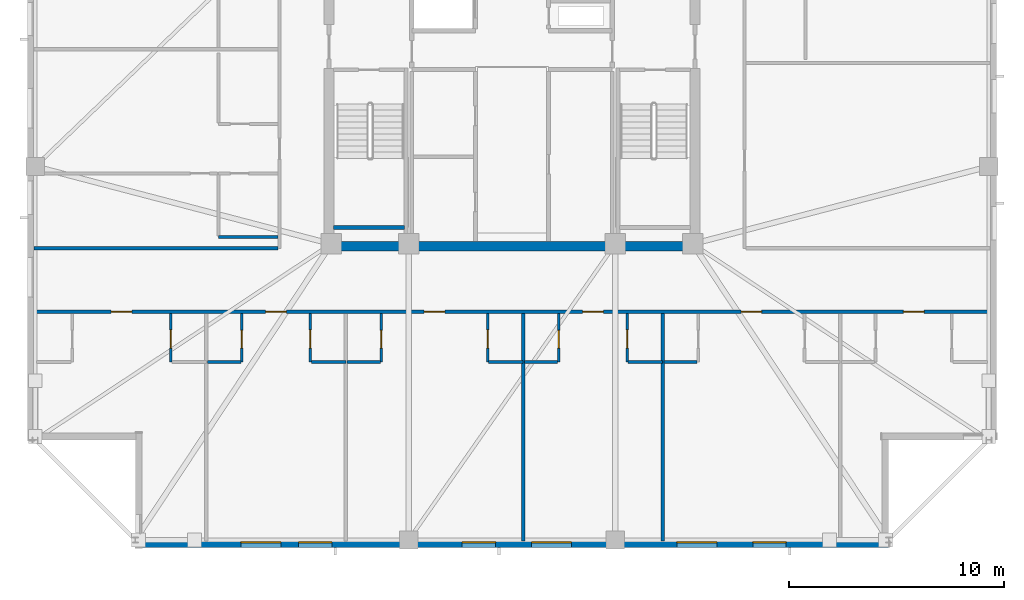
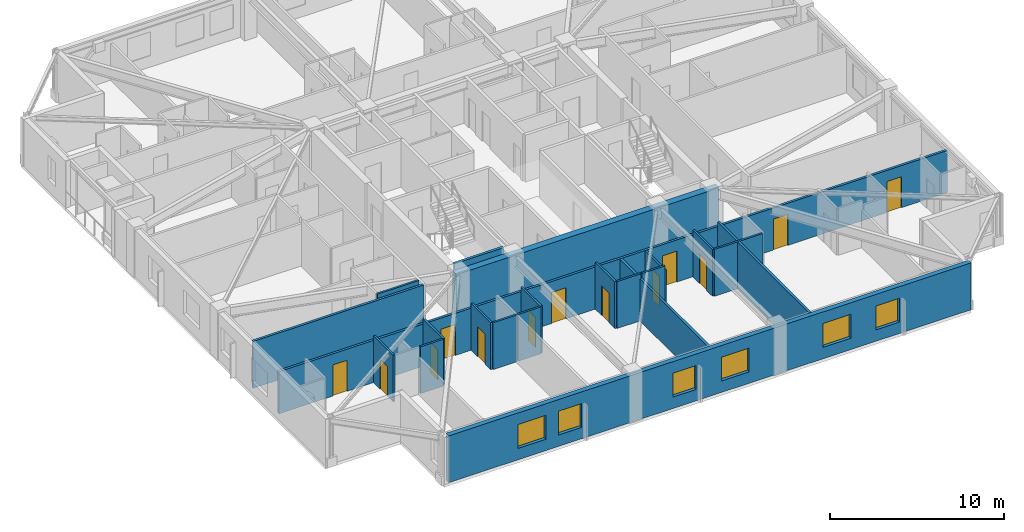
# One storey, part 7 of 17: 22 walls, 13 doors, 6 windows, 19 openings.
"""IFC4 building model written with IfcOpenShell, lengths in metres."""

from ifc_helpers import new_model, si_unit, direction, frame, frame_2d, origin, place, context, subcontext, project, spatial, rectangle, extrude, material, layer, layer_set, type_object, element, fill, save


model = new_model("IFC4")

# Units and contexts
model_context = context("Model", 3, precision=1e-05, world=origin(), true_north=direction((0.0, 1.0)))
body_context = subcontext(model_context, "Body", "Model", "MODEL_VIEW")
ifc_project = project(units=[si_unit("LENGTHUNIT", "METRE"), si_unit("AREAUNIT", "SQUARE_METRE"), si_unit("VOLUMEUNIT", "CUBIC_METRE"), si_unit("PLANEANGLEUNIT", "RADIAN"), si_unit("MASSUNIT", "GRAM", prefix="KILO")], contexts=[model_context])

# Site, building, storey
site_placement = place(None, origin())
site = spatial("IfcSite", under=ifc_project, at=site_placement, CompositionType="ELEMENT")
building_placement = place(site_placement, origin())
building = spatial("IfcBuilding", under=site, at=building_placement, Name="Cairnveth Concourse Tower", CompositionType="ELEMENT")
storey_placement = place(building_placement, frame((0.0, 0.0, 234.0)))
storey = spatial("IfcBuildingStorey", under=building, at=storey_placement, Name="L64", CompositionType="ELEMENT", Elevation=234.0)

# Wall, openings, doors
ifc_material_1 = material(Name="Gypsum Plasterboard Partition", Category="gypsum")
ifc_layer_1 = layer(ifc_material_1, 0.159912109375)
ifc_layer_set_1 = layer_set([ifc_layer_1], Name="Gypsum Plasterboard Partition")
wall_type_1 = type_object("IfcWallType", Name="ACOUSTIC PARTY WALL 180", PredefinedType="PARTITIONING", material=ifc_layer_set_1)
wall_1_placement = place(storey_placement, frame((29.804931640625, 27.4423828125, 0.0), z_axis=(0.0, 0.0, 1.0), x_axis=(1.0, 0.0, 0.0)))
wall_1 = element("IfcWall", 1, at=wall_1_placement, inside=storey, type_object=wall_type_1, Name="Interior Wall IW-L64-035", PredefinedType="PARTITIONING", context=body_context, shape_type="SweptSolid", body=[
    extrude(rectangle(XDim=44.39013671875, YDim=0.159912109375, at=frame_2d((22.195068359375, 0.0))), origin(), (0.0, 0.0, 1.0), 2.9580078125),
])
opening_1_placement = place(wall_1_placement, frame((3.574951171875, 0.0, 0.0)))
opening_1 = element("IfcOpeningElement", 2, at=opening_1_placement, cuts=wall_1, Name="Opening ID10", PredefinedType="OPENING", context=body_context, shape_type="SweptSolid", body=[
    extrude(rectangle(XDim=0.9599609375, YDim=2.179931640625, at=frame_2d((0.47998046875, 1.08984375))), frame((0.0, 0.08984375, 0.0), z_axis=(0.0, -1.0, 0.0), x_axis=(1.0, 0.0, 0.0)), (0.0, 0.0, 1.0), 0.179931640625),
])
opening_2_placement = place(wall_1_placement, frame((10.7548828125, 0.0, 0.0)))
opening_2 = element("IfcOpeningElement", 3, at=opening_2_placement, cuts=wall_1, Name="Opening ID10", PredefinedType="OPENING", context=body_context, shape_type="SweptSolid", body=[
    extrude(rectangle(XDim=0.9599609375, YDim=2.179931640625, at=frame_2d((0.47998046875, 1.08984375))), frame((0.0, 0.08984375, 0.0), z_axis=(0.0, -1.0, 0.0), x_axis=(1.0, 0.0, 0.0)), (0.0, 0.0, 1.0), 0.179931640625),
])
opening_3_placement = place(wall_1_placement, frame((18.114990234375, 0.0, 0.0)))
opening_3 = element("IfcOpeningElement", 4, at=opening_3_placement, cuts=wall_1, Name="Opening ID10", PredefinedType="OPENING", context=body_context, shape_type="SweptSolid", body=[
    extrude(rectangle(XDim=0.9599609375, YDim=2.179931640625, at=frame_2d((0.47998046875, 1.08984375))), frame((0.0, 0.08984375, 0.0), z_axis=(0.0, -1.0, 0.0), x_axis=(1.0, 0.0, 0.0)), (0.0, 0.0, 1.0), 0.179931640625),
])
opening_4_placement = place(wall_1_placement, frame((25.47509765625, 0.0, 0.0)))
opening_4 = element("IfcOpeningElement", 5, at=opening_4_placement, cuts=wall_1, Name="Opening ID10", PredefinedType="OPENING", context=body_context, shape_type="SweptSolid", body=[
    extrude(rectangle(XDim=0.9599609375, YDim=2.179931640625, at=frame_2d((0.47998046875, 1.08984375))), frame((0.0, 0.08984375, 0.0), z_axis=(0.0, -1.0, 0.0), x_axis=(1.0, 0.0, 0.0)), (0.0, 0.0, 1.0), 0.179931640625),
])
opening_5_placement = place(wall_1_placement, frame((32.8349609375, 0.0, 0.0)))
opening_5 = element("IfcOpeningElement", 6, at=opening_5_placement, cuts=wall_1, Name="Opening ID10", PredefinedType="OPENING", context=body_context, shape_type="SweptSolid", body=[
    extrude(rectangle(XDim=0.9599609375, YDim=2.179931640625, at=frame_2d((0.47998046875, 1.08984375))), frame((0.0, 0.08984375, 0.0), z_axis=(0.0, -1.0, 0.0), x_axis=(1.0, 0.0, 0.0)), (0.0, 0.0, 1.0), 0.179931640625),
])
opening_6_placement = place(wall_1_placement, frame((40.375, 0.0, 0.0)))
opening_6 = element("IfcOpeningElement", 7, at=opening_6_placement, cuts=wall_1, Name="Opening ID10", PredefinedType="OPENING", context=body_context, shape_type="SweptSolid", body=[
    extrude(rectangle(XDim=0.9599609375, YDim=2.179931640625, at=frame_2d((0.47998046875, 1.08984375))), frame((0.0, 0.08984375, 0.0), z_axis=(0.0, -1.0, 0.0), x_axis=(1.0, 0.0, 0.0)), (0.0, 0.0, 1.0), 0.179931640625),
])
ifc_material_2 = material(Name="Solid Core Hardwood Timber Leaf", Category="wood")
door_type_1 = type_object("IfcDoorType", Name="FLAT ENTRANCE DOOR 960X2150", OperationType="NOTDEFINED", PredefinedType="DOOR", material=ifc_material_2)
door_1_placement = place(opening_1_placement, origin())
door_1 = element("IfcDoor", 8, at=door_1_placement, inside=storey, type_object=door_type_1, Name="Studio L64STS1 Entrance Door", OperationType="SINGLE_SWING_RIGHT", OverallHeight=2.179931640625, OverallWidth=0.9599609375, PredefinedType="DOOR", context=body_context, shape_type="SweptSolid", body=[
    extrude(rectangle(XDim=0.9599609375, YDim=2.179931640625, at=frame_2d((0.47998046875, 1.08984375))), frame((0.0, 0.02490234375, 0.0), z_axis=(0.0, -1.0, 0.0), x_axis=(1.0, 0.0, 0.0)), (0.0, 0.0, 1.0), 0.050048828125),
])
fill(opening_1, door_1)
door_2_placement = place(opening_2_placement, origin())
door_2 = element("IfcDoor", 9, at=door_2_placement, inside=storey, type_object=door_type_1, Name="Studio L64STS2 Entrance Door", OperationType="SINGLE_SWING_LEFT", OverallHeight=2.179931640625, OverallWidth=0.9599609375, PredefinedType="DOOR", context=body_context, shape_type="SweptSolid", body=[
    extrude(rectangle(XDim=0.9599609375, YDim=2.179931640625, at=frame_2d((0.47998046875, 1.08984375))), frame((0.0, 0.02490234375, 0.0), z_axis=(0.0, -1.0, 0.0), x_axis=(1.0, 0.0, 0.0)), (0.0, 0.0, 1.0), 0.050048828125),
])
fill(opening_2, door_2)
door_3_placement = place(opening_3_placement, origin())
door_3 = element("IfcDoor", 10, at=door_3_placement, inside=storey, type_object=door_type_1, Name="Studio L64STS3 Entrance Door", OperationType="SINGLE_SWING_RIGHT", OverallHeight=2.179931640625, OverallWidth=0.9599609375, PredefinedType="DOOR", context=body_context, shape_type="SweptSolid", body=[
    extrude(rectangle(XDim=0.9599609375, YDim=2.179931640625, at=frame_2d((0.47998046875, 1.08984375))), frame((0.0, 0.02490234375, 0.0), z_axis=(0.0, -1.0, 0.0), x_axis=(1.0, 0.0, 0.0)), (0.0, 0.0, 1.0), 0.050048828125),
])
fill(opening_3, door_3)
door_4_placement = place(opening_4_placement, origin())
door_4 = element("IfcDoor", 11, at=door_4_placement, inside=storey, type_object=door_type_1, Name="Studio L64STS4 Entrance Door", OperationType="SINGLE_SWING_LEFT", OverallHeight=2.179931640625, OverallWidth=0.9599609375, PredefinedType="DOOR", context=body_context, shape_type="SweptSolid", body=[
    extrude(rectangle(XDim=0.9599609375, YDim=2.179931640625, at=frame_2d((0.47998046875, 1.08984375))), frame((0.0, 0.02490234375, 0.0), z_axis=(0.0, -1.0, 0.0), x_axis=(1.0, 0.0, 0.0)), (0.0, 0.0, 1.0), 0.050048828125),
])
fill(opening_4, door_4)
door_5_placement = place(opening_5_placement, origin())
door_5 = element("IfcDoor", 12, at=door_5_placement, inside=storey, type_object=door_type_1, Name="Studio L64STS5 Entrance Door", OperationType="SINGLE_SWING_RIGHT", OverallHeight=2.179931640625, OverallWidth=0.9599609375, PredefinedType="DOOR", context=body_context, shape_type="SweptSolid", body=[
    extrude(rectangle(XDim=0.9599609375, YDim=2.179931640625, at=frame_2d((0.47998046875, 1.08984375))), frame((0.0, 0.02490234375, 0.0), z_axis=(0.0, -1.0, 0.0), x_axis=(1.0, 0.0, 0.0)), (0.0, 0.0, 1.0), 0.050048828125),
])
fill(opening_5, door_5)
door_6_placement = place(opening_6_placement, origin())
door_6 = element("IfcDoor", 13, at=door_6_placement, inside=storey, type_object=door_type_1, Name="Studio L64STS6 Entrance Door", OperationType="SINGLE_SWING_LEFT", OverallHeight=2.179931640625, OverallWidth=0.9599609375, PredefinedType="DOOR", context=body_context, shape_type="SweptSolid", body=[
    extrude(rectangle(XDim=0.9599609375, YDim=2.179931640625, at=frame_2d((0.47998046875, 1.08984375))), frame((0.0, 0.02490234375, 0.0), z_axis=(0.0, -1.0, 0.0), x_axis=(1.0, 0.0, 0.0)), (0.0, 0.0, 1.0), 0.050048828125),
])
fill(opening_6, door_6)

# Walls
wall_2_placement = place(storey_placement, frame((29.804931640625, 30.39990234375, 0.0), z_axis=(0.0, 0.0, 1.0), x_axis=(1.0, 0.0, 0.0)))
element("IfcWall", 14, at=wall_2_placement, inside=storey, type_object=wall_type_1, Name="Interior Wall IW-L64-039", PredefinedType="PARTITIONING", context=body_context, shape_type="SweptSolid", body=[
    extrude(rectangle(XDim=11.330078125, YDim=0.159912109375, at=frame_2d((5.6650390625, 0.0))), origin(), (0.0, 0.0, 1.0), 3.2900390625),
])
wall_3_placement = place(storey_placement, frame((52.52001953125, 16.804931640625, 0.0), z_axis=(0.0, 0.0, 1.0), x_axis=(0.0, 1.0, 0.0)))
element("IfcWall", 15, at=wall_3_placement, inside=storey, type_object=wall_type_1, Name="Interior Wall IW-L64-057", PredefinedType="PARTITIONING", context=body_context, shape_type="SweptSolid", body=[
    extrude(rectangle(XDim=10.5576171875, YDim=0.159912109375, at=frame_2d((5.27880859375, 0.0))), origin(), (0.0, 0.0, 1.0), 2.9580078125),
])
wall_4_placement = place(storey_placement, frame((59.0, 16.804931640625, 0.0), z_axis=(0.0, 0.0, 1.0), x_axis=(0.0, 1.0, 0.0)))
element("IfcWall", 16, at=wall_4_placement, inside=storey, type_object=wall_type_1, Name="Interior Wall IW-L64-062", PredefinedType="PARTITIONING", context=body_context, shape_type="SweptSolid", body=[
    extrude(rectangle(XDim=10.5576171875, YDim=0.159912109375, at=frame_2d((5.27880859375, 0.0))), origin(), (0.0, 0.0, 1.0), 3.2900390625),
])
ifc_material_3 = material(Name="Concrete N65 (65 MPa)", Category="concrete")
ifc_layer_2 = layer(ifc_material_3, 0.449951171875)
ifc_layer_set_2 = layer_set([ifc_layer_2], Name="Concrete N65 (65 MPa)")
wall_type_2 = type_object("IfcWallType", Name="CORE SHEAR WALL 450", PredefinedType="SHEAR", material=ifc_layer_set_2)
wall_5_placement = place(storey_placement, frame((43.27490234375, 30.5, 0.0), z_axis=(0.0, 0.0, 1.0), x_axis=(1.0, 0.0, 0.0)))
element("IfcWall", 17, at=wall_5_placement, inside=storey, type_object=wall_type_2, Name="Core South Shear Wall L64", PredefinedType="SHEAR", context=body_context, shape_type="SweptSolid", body=[
    extrude(rectangle(XDim=17.4501953125, YDim=0.449951171875, at=frame_2d((8.72509765625, 0.0))), origin(), (0.0, 0.0, 1.0), 3.2900390625),
])
ifc_material_4 = material(Name="Concrete N50 (50 MPa)", Category="concrete")
ifc_layer_3 = layer(ifc_material_4, 0.179931640625)
ifc_layer_set_3 = layer_set([ifc_layer_3], Name="Concrete N50 (50 MPa)")
wall_type_3 = type_object("IfcWallType", Name="FIRE SHAFT WALL 180", PredefinedType="SOLIDWALL", material=ifc_layer_set_3)
wall_6_placement = place(storey_placement, frame((43.715087890625, 31.360107421875, 0.0), z_axis=(0.0, 0.0, 1.0), x_axis=(1.0, 0.0, 0.0)))
element("IfcWall", 18, at=wall_6_placement, inside=storey, type_object=wall_type_3, Name="Stair ST-1 Shaft Wall FAR L64", PredefinedType="SOLIDWALL", context=body_context, shape_type="SweptSolid", body=[
    extrude(rectangle(XDim=3.280029296875, YDim=0.179931640625, at=frame_2d((1.64013671875, 0.0))), origin(), (0.0, 0.0, 1.0), 3.2900390625),
])

# Wall, opening, door
ifc_layer_4 = layer(ifc_material_1, 0.1298828125)
ifc_layer_set_4 = layer_set([ifc_layer_4], Name="Gypsum Plasterboard Partition")
wall_type_4 = type_object("IfcWallType", Name="WET AREA PARTITION 140", PredefinedType="PLUMBINGWALL", material=ifc_layer_set_4)
wall_7_placement = place(storey_placement, frame((36.14990234375, 25.112548828125, 0.0), z_axis=(0.0, 0.0, 1.0), x_axis=(0.0, 1.0, 0.0)))
wall_7 = element("IfcWall", 19, at=wall_7_placement, inside=storey, type_object=wall_type_4, Name="Interior Wall IW-L64-045", PredefinedType="PLUMBINGWALL", context=body_context, shape_type="SweptSolid", body=[
    extrude(rectangle(XDim=2.25, YDim=0.1298828125, at=frame_2d((1.125, 0.0))), origin(), (0.0, 0.0, 1.0), 3.2900390625),
])
opening_7_placement = place(wall_7_placement, frame((0.64990234375, 0.0, 0.0)))
opening_7 = element("IfcOpeningElement", 20, at=opening_7_placement, cuts=wall_7, Name="Opening ID20", PredefinedType="OPENING", context=body_context, shape_type="SweptSolid", body=[
    extrude(rectangle(XDim=0.85009765625, YDim=2.10009765625, at=frame_2d((0.425048828125, 1.050048828125))), frame((0.0, 0.074951171875, 0.0), z_axis=(0.0, -1.0, 0.0), x_axis=(1.0, 0.0, 0.0)), (0.0, 0.0, 1.0), 0.14990234375),
])
door_type_2 = type_object("IfcDoorType", Name="INTERIOR SINGLE DOOR 850X2100", OperationType="NOTDEFINED", PredefinedType="DOOR", material=ifc_material_2)
door_7_placement = place(opening_7_placement, origin())
door_7 = element("IfcDoor", 21, at=door_7_placement, inside=storey, type_object=door_type_2, Name="L64STS1 Kitchen Door", OperationType="SINGLE_SWING_LEFT", OverallHeight=2.10009765625, OverallWidth=0.85009765625, PredefinedType="DOOR", context=body_context, shape_type="SweptSolid", body=[
    extrude(rectangle(XDim=0.85009765625, YDim=2.10009765625, at=frame_2d((0.425048828125, 1.050048828125))), frame((0.0, 0.02490234375, 0.0), z_axis=(0.0, -1.0, 0.0), x_axis=(1.0, 0.0, 0.0)), (0.0, 0.0, 1.0), 0.050048828125),
])
fill(opening_7, door_7)

wall_8_placement = place(storey_placement, frame((39.449951171875, 25.112548828125, 0.0), z_axis=(0.0, 0.0, 1.0), x_axis=(0.0, 1.0, 0.0)))
wall_8 = element("IfcWall", 22, at=wall_8_placement, inside=storey, type_object=wall_type_4, Name="Interior Wall IW-L64-048", PredefinedType="PLUMBINGWALL", context=body_context, shape_type="SweptSolid", body=[
    extrude(rectangle(XDim=2.25, YDim=0.1298828125, at=frame_2d((1.125, 0.0))), origin(), (0.0, 0.0, 1.0), 3.2900390625),
])
opening_8_placement = place(wall_8_placement, frame((0.64990234375, 0.0, 0.0)))
opening_8 = element("IfcOpeningElement", 23, at=opening_8_placement, cuts=wall_8, Name="Opening ID22", PredefinedType="OPENING", context=body_context, shape_type="SweptSolid", body=[
    extrude(rectangle(XDim=0.820068359375, YDim=2.10009765625, at=frame_2d((0.41015625, 1.050048828125))), frame((0.0, 0.074951171875, 0.0), z_axis=(0.0, -1.0, 0.0), x_axis=(1.0, 0.0, 0.0)), (0.0, 0.0, 1.0), 0.14990234375),
])
door_type_3 = type_object("IfcDoorType", Name="INTERIOR WC DOOR 820X2100", OperationType="NOTDEFINED", PredefinedType="DOOR", material=ifc_material_2)
door_8_placement = place(opening_8_placement, origin())
door_8 = element("IfcDoor", 24, at=door_8_placement, inside=storey, type_object=door_type_3, Name="L64STS2 Bathroom Door", OperationType="SINGLE_SWING_LEFT", OverallHeight=2.10009765625, OverallWidth=0.820068359375, PredefinedType="DOOR", context=body_context, shape_type="SweptSolid", body=[
    extrude(rectangle(XDim=0.820068359375, YDim=2.10009765625, at=frame_2d((0.41015625, 1.050048828125))), frame((0.0, 0.02490234375, 0.0), z_axis=(0.0, -1.0, 0.0), x_axis=(1.0, 0.0, 0.0)), (0.0, 0.0, 1.0), 0.050048828125),
])
fill(opening_8, door_8)

# Wall
wall_9_placement = place(storey_placement, frame((37.864990234375, 25.112548828125, 0.0), z_axis=(0.0, 0.0, 1.0), x_axis=(1.0, 0.0, 0.0)))
element("IfcWall", 25, at=wall_9_placement, inside=storey, type_object=wall_type_4, Name="Interior Wall IW-L64-049", PredefinedType="PLUMBINGWALL", context=body_context, shape_type="SweptSolid", body=[
    extrude(rectangle(XDim=1.534912109375, YDim=0.1298828125, at=frame_2d((0.767578125, 0.0))), origin(), (0.0, 0.0, 1.0), 3.2900390625),
])

# Wall, opening, door
wall_10_placement = place(storey_placement, frame((42.6298828125, 25.112548828125, 0.0), z_axis=(0.0, 0.0, 1.0), x_axis=(0.0, 1.0, 0.0)))
wall_10 = element("IfcWall", 26, at=wall_10_placement, inside=storey, type_object=wall_type_4, Name="Interior Wall IW-L64-050", PredefinedType="PLUMBINGWALL", context=body_context, shape_type="SweptSolid", body=[
    extrude(rectangle(XDim=2.25, YDim=0.1298828125, at=frame_2d((1.125, 0.0))), origin(), (0.0, 0.0, 1.0), 3.2900390625),
])
opening_9_placement = place(wall_10_placement, frame((0.64990234375, 0.0, 0.0)))
opening_9 = element("IfcOpeningElement", 27, at=opening_9_placement, cuts=wall_10, Name="Opening ID20", PredefinedType="OPENING", context=body_context, shape_type="SweptSolid", body=[
    extrude(rectangle(XDim=0.85009765625, YDim=2.10009765625, at=frame_2d((0.425048828125, 1.050048828125))), frame((0.0, 0.074951171875, 0.0), z_axis=(0.0, -1.0, 0.0), x_axis=(1.0, 0.0, 0.0)), (0.0, 0.0, 1.0), 0.14990234375),
])
door_9_placement = place(opening_9_placement, origin())
door_9 = element("IfcDoor", 28, at=door_9_placement, inside=storey, type_object=door_type_2, Name="L64STS2 Kitchen Door", OperationType="SINGLE_SWING_RIGHT", OverallHeight=2.10009765625, OverallWidth=0.85009765625, PredefinedType="DOOR", context=body_context, shape_type="SweptSolid", body=[
    extrude(rectangle(XDim=0.85009765625, YDim=2.10009765625, at=frame_2d((0.425048828125, 1.050048828125))), frame((0.0, 0.02490234375, 0.0), z_axis=(0.0, -1.0, 0.0), x_axis=(1.0, 0.0, 0.0)), (0.0, 0.0, 1.0), 0.050048828125),
])
fill(opening_9, door_9)

# Wall
wall_11_placement = place(storey_placement, frame((42.679931640625, 25.112548828125, 0.0), z_axis=(0.0, 0.0, 1.0), x_axis=(1.0, 0.0, 0.0)))
element("IfcWall", 29, at=wall_11_placement, inside=storey, type_object=wall_type_4, Name="Interior Wall IW-L64-051", PredefinedType="PLUMBINGWALL", context=body_context, shape_type="SweptSolid", body=[
    extrude(rectangle(XDim=1.60009765625, YDim=0.1298828125, at=frame_2d((0.800048828125, 0.0))), origin(), (0.0, 0.0, 1.0), 3.2900390625),
])

# Wall, opening, door
wall_12_placement = place(storey_placement, frame((45.929931640625, 25.112548828125, 0.0), z_axis=(0.0, 0.0, 1.0), x_axis=(0.0, 1.0, 0.0)))
wall_12 = element("IfcWall", 30, at=wall_12_placement, inside=storey, type_object=wall_type_4, Name="Interior Wall IW-L64-053", PredefinedType="PLUMBINGWALL", context=body_context, shape_type="SweptSolid", body=[
    extrude(rectangle(XDim=2.25, YDim=0.1298828125, at=frame_2d((1.125, 0.0))), origin(), (0.0, 0.0, 1.0), 3.2900390625),
])
opening_10_placement = place(wall_12_placement, frame((0.64990234375, 0.0, 0.0)))
opening_10 = element("IfcOpeningElement", 31, at=opening_10_placement, cuts=wall_12, Name="Opening ID22", PredefinedType="OPENING", context=body_context, shape_type="SweptSolid", body=[
    extrude(rectangle(XDim=0.820068359375, YDim=2.10009765625, at=frame_2d((0.41015625, 1.050048828125))), frame((0.0, 0.074951171875, 0.0), z_axis=(0.0, -1.0, 0.0), x_axis=(1.0, 0.0, 0.0)), (0.0, 0.0, 1.0), 0.14990234375),
])
door_10_placement = place(opening_10_placement, origin())
door_10 = element("IfcDoor", 32, at=door_10_placement, inside=storey, type_object=door_type_3, Name="L64STS3 Bathroom Door", OperationType="SINGLE_SWING_RIGHT", OverallHeight=2.10009765625, OverallWidth=0.820068359375, PredefinedType="DOOR", context=body_context, shape_type="SweptSolid", body=[
    extrude(rectangle(XDim=0.820068359375, YDim=2.10009765625, at=frame_2d((0.41015625, 1.050048828125))), frame((0.0, 0.02490234375, 0.0), z_axis=(0.0, -1.0, 0.0), x_axis=(1.0, 0.0, 0.0)), (0.0, 0.0, 1.0), 0.050048828125),
])
fill(opening_10, door_10)

# Wall
wall_13_placement = place(storey_placement, frame((44.344970703125, 25.112548828125, 0.0), z_axis=(0.0, 0.0, 1.0), x_axis=(1.0, 0.0, 0.0)))
element("IfcWall", 33, at=wall_13_placement, inside=storey, type_object=wall_type_4, Name="Interior Wall IW-L64-054", PredefinedType="PLUMBINGWALL", context=body_context, shape_type="SweptSolid", body=[
    extrude(rectangle(XDim=1.534912109375, YDim=0.1298828125, at=frame_2d((0.767578125, 0.0))), origin(), (0.0, 0.0, 1.0), 3.2900390625),
])

# Wall, opening, door
wall_14_placement = place(storey_placement, frame((50.8701171875, 25.112548828125, 0.0), z_axis=(0.0, 0.0, 1.0), x_axis=(0.0, 1.0, 0.0)))
wall_14 = element("IfcWall", 34, at=wall_14_placement, inside=storey, type_object=wall_type_4, Name="Interior Wall IW-L64-055", PredefinedType="PLUMBINGWALL", context=body_context, shape_type="SweptSolid", body=[
    extrude(rectangle(XDim=2.25, YDim=0.1298828125, at=frame_2d((1.125, 0.0))), origin(), (0.0, 0.0, 1.0), 3.2900390625),
])
opening_11_placement = place(wall_14_placement, frame((0.64990234375, 0.0, 0.0)))
opening_11 = element("IfcOpeningElement", 35, at=opening_11_placement, cuts=wall_14, Name="Opening ID20", PredefinedType="OPENING", context=body_context, shape_type="SweptSolid", body=[
    extrude(rectangle(XDim=0.85009765625, YDim=2.10009765625, at=frame_2d((0.425048828125, 1.050048828125))), frame((0.0, 0.074951171875, 0.0), z_axis=(0.0, -1.0, 0.0), x_axis=(1.0, 0.0, 0.0)), (0.0, 0.0, 1.0), 0.14990234375),
])
door_11_placement = place(opening_11_placement, origin())
door_11 = element("IfcDoor", 36, at=door_11_placement, inside=storey, type_object=door_type_2, Name="L64STS3 Kitchen Door", OperationType="SINGLE_SWING_LEFT", OverallHeight=2.10009765625, OverallWidth=0.85009765625, PredefinedType="DOOR", context=body_context, shape_type="SweptSolid", body=[
    extrude(rectangle(XDim=0.85009765625, YDim=2.10009765625, at=frame_2d((0.425048828125, 1.050048828125))), frame((0.0, 0.02490234375, 0.0), z_axis=(0.0, -1.0, 0.0), x_axis=(1.0, 0.0, 0.0)), (0.0, 0.0, 1.0), 0.050048828125),
])
fill(opening_11, door_11)

# Wall
wall_15_placement = place(storey_placement, frame((50.919921875, 25.112548828125, 0.0), z_axis=(0.0, 0.0, 1.0), x_axis=(1.0, 0.0, 0.0)))
element("IfcWall", 37, at=wall_15_placement, inside=storey, type_object=wall_type_4, Name="Interior Wall IW-L64-056", PredefinedType="PLUMBINGWALL", context=body_context, shape_type="SweptSolid", body=[
    extrude(rectangle(XDim=1.60009765625, YDim=0.1298828125, at=frame_2d((0.800048828125, 0.0))), origin(), (0.0, 0.0, 1.0), 3.2900390625),
])

# Wall, opening, door
wall_16_placement = place(storey_placement, frame((54.169921875, 25.112548828125, 0.0), z_axis=(0.0, 0.0, 1.0), x_axis=(0.0, 1.0, 0.0)))
wall_16 = element("IfcWall", 38, at=wall_16_placement, inside=storey, type_object=wall_type_4, Name="Interior Wall IW-L64-058", PredefinedType="PLUMBINGWALL", context=body_context, shape_type="SweptSolid", body=[
    extrude(rectangle(XDim=2.25, YDim=0.1298828125, at=frame_2d((1.125, 0.0))), origin(), (0.0, 0.0, 1.0), 2.9580078125),
])
opening_12_placement = place(wall_16_placement, frame((0.64990234375, 0.0, 0.0)))
opening_12 = element("IfcOpeningElement", 39, at=opening_12_placement, cuts=wall_16, Name="Opening ID22", PredefinedType="OPENING", context=body_context, shape_type="SweptSolid", body=[
    extrude(rectangle(XDim=0.820068359375, YDim=2.10009765625, at=frame_2d((0.41015625, 1.050048828125))), frame((0.0, 0.074951171875, 0.0), z_axis=(0.0, -1.0, 0.0), x_axis=(1.0, 0.0, 0.0)), (0.0, 0.0, 1.0), 0.14990234375),
])
door_12_placement = place(opening_12_placement, origin())
door_12 = element("IfcDoor", 40, at=door_12_placement, inside=storey, type_object=door_type_3, Name="L64STS4 Bathroom Door", OperationType="SINGLE_SWING_LEFT", OverallHeight=2.10009765625, OverallWidth=0.820068359375, PredefinedType="DOOR", context=body_context, shape_type="SweptSolid", body=[
    extrude(rectangle(XDim=0.820068359375, YDim=2.10009765625, at=frame_2d((0.41015625, 1.050048828125))), frame((0.0, 0.02490234375, 0.0), z_axis=(0.0, -1.0, 0.0), x_axis=(1.0, 0.0, 0.0)), (0.0, 0.0, 1.0), 0.050048828125),
])
fill(opening_12, door_12)

# Wall
wall_17_placement = place(storey_placement, frame((52.5849609375, 25.112548828125, 0.0), z_axis=(0.0, 0.0, 1.0), x_axis=(1.0, 0.0, 0.0)))
element("IfcWall", 41, at=wall_17_placement, inside=storey, type_object=wall_type_4, Name="Interior Wall IW-L64-059", PredefinedType="PLUMBINGWALL", context=body_context, shape_type="SweptSolid", body=[
    extrude(rectangle(XDim=1.53515625, YDim=0.1298828125, at=frame_2d((0.767578125, 0.0))), origin(), (0.0, 0.0, 1.0), 3.2900390625),
])

# Wall, opening, door
wall_18_placement = place(storey_placement, frame((57.35009765625, 25.112548828125, 0.0), z_axis=(0.0, 0.0, 1.0), x_axis=(0.0, 1.0, 0.0)))
wall_18 = element("IfcWall", 42, at=wall_18_placement, inside=storey, type_object=wall_type_4, Name="Interior Wall IW-L64-060", PredefinedType="PLUMBINGWALL", context=body_context, shape_type="SweptSolid", body=[
    extrude(rectangle(XDim=2.25, YDim=0.1298828125, at=frame_2d((1.125, 0.0))), origin(), (0.0, 0.0, 1.0), 3.2900390625),
])
opening_13_placement = place(wall_18_placement, frame((0.64990234375, 0.0, 0.0)))
opening_13 = element("IfcOpeningElement", 43, at=opening_13_placement, cuts=wall_18, Name="Opening ID20", PredefinedType="OPENING", context=body_context, shape_type="SweptSolid", body=[
    extrude(rectangle(XDim=0.85009765625, YDim=2.10009765625, at=frame_2d((0.425048828125, 1.050048828125))), frame((0.0, 0.074951171875, 0.0), z_axis=(0.0, -1.0, 0.0), x_axis=(1.0, 0.0, 0.0)), (0.0, 0.0, 1.0), 0.14990234375),
])
door_13_placement = place(opening_13_placement, origin())
door_13 = element("IfcDoor", 44, at=door_13_placement, inside=storey, type_object=door_type_2, Name="L64STS4 Kitchen Door", OperationType="SINGLE_SWING_RIGHT", OverallHeight=2.10009765625, OverallWidth=0.85009765625, PredefinedType="DOOR", context=body_context, shape_type="SweptSolid", body=[
    extrude(rectangle(XDim=0.85009765625, YDim=2.10009765625, at=frame_2d((0.425048828125, 1.050048828125))), frame((0.0, 0.02490234375, 0.0), z_axis=(0.0, -1.0, 0.0), x_axis=(1.0, 0.0, 0.0)), (0.0, 0.0, 1.0), 0.050048828125),
])
fill(opening_13, door_13)

# Walls
wall_19_placement = place(storey_placement, frame((57.39990234375, 25.112548828125, 0.0), z_axis=(0.0, 0.0, 1.0), x_axis=(1.0, 0.0, 0.0)))
element("IfcWall", 45, at=wall_19_placement, inside=storey, type_object=wall_type_4, Name="Interior Wall IW-L64-061", PredefinedType="PLUMBINGWALL", context=body_context, shape_type="SweptSolid", body=[
    extrude(rectangle(XDim=1.60009765625, YDim=0.1298828125, at=frame_2d((0.800048828125, 0.0))), origin(), (0.0, 0.0, 1.0), 3.2900390625),
])
wall_20_placement = place(storey_placement, frame((59.06494140625, 25.112548828125, 0.0), z_axis=(0.0, 0.0, 1.0), x_axis=(1.0, 0.0, 0.0)))
element("IfcWall", 46, at=wall_20_placement, inside=storey, type_object=wall_type_4, Name="Interior Wall IW-L64-064", PredefinedType="PLUMBINGWALL", context=body_context, shape_type="SweptSolid", body=[
    extrude(rectangle(XDim=1.53515625, YDim=0.1298828125, at=frame_2d((0.767578125, 0.0))), origin(), (0.0, 0.0, 1.0), 3.2900390625),
])
wall_21_placement = place(storey_placement, frame((38.3701171875, 30.925048828125, 0.0), z_axis=(0.0, 0.0, 1.0), x_axis=(1.0, 0.0, 0.0)))
element("IfcWall", 47, at=wall_21_placement, inside=storey, type_object=wall_type_4, Name="Interior Wall IW-L64-097", PredefinedType="PLUMBINGWALL", context=body_context, shape_type="SweptSolid", body=[
    extrude(rectangle(XDim=2.75, YDim=0.1298828125, at=frame_2d((1.375, 0.0))), origin(), (0.0, 0.0, 1.0), 3.2900390625),
])

# Wall, openings, windows
ifc_material_5 = material(Name="Melbourne Buff Fired Clay Brick Masonry", Category="masonry")
ifc_layer_5 = layer(ifc_material_5, 0.320068359375)
ifc_layer_set_5 = layer_set([ifc_layer_5], Name="Melbourne Buff Fired Clay Brick Masonry")
wall_type_5 = type_object("IfcWallType", Name="ZONE 3 BRICK PIER SPANDREL WALL 320", PredefinedType="SOLIDWALL", material=ifc_layer_set_5)
wall_22_placement = place(storey_placement, frame((69.5, 16.659912109375, 0.0), z_axis=(0.0, 0.0, 1.0), x_axis=(-1.0, 0.0, 0.0)))
wall_22 = element("IfcWall", 48, at=wall_22_placement, inside=storey, type_object=wall_type_5, Name="Exterior Wall EW-L64-S09", PredefinedType="SOLIDWALL", context=body_context, shape_type="SweptSolid", body=[
    extrude(rectangle(XDim=34.701904296875, YDim=0.320068359375, at=frame_2d((17.35107421875, 0.0))), origin(), (0.0, 0.0, 1.0), 3.2900390625),
])
opening_14_placement = place(wall_22_placement, frame((4.7626953125, 0.0, 0.800048828125)))
opening_14 = element("IfcOpeningElement", 49, at=opening_14_placement, cuts=wall_22, Name="Opening W07", PredefinedType="OPENING", context=body_context, shape_type="SweptSolid", body=[
    extrude(rectangle(XDim=1.550048828125, YDim=1.677978515625, at=frame_2d((0.77490234375, 0.8388671875))), frame((0.0, 0.169921875, 0.0), z_axis=(0.0, -1.0, 0.0), x_axis=(1.0, 0.0, 0.0)), (0.0, 0.0, 1.0), 0.340087890625),
])
opening_15_placement = place(wall_22_placement, frame((7.98779296875, 0.0, 0.800048828125)))
opening_15 = element("IfcOpeningElement", 50, at=opening_15_placement, cuts=wall_22, Name="Opening W08", PredefinedType="OPENING", context=body_context, shape_type="SweptSolid", body=[
    extrude(rectangle(XDim=1.85009765625, YDim=1.677978515625, at=frame_2d((0.925048828125, 0.8388671875))), frame((0.0, 0.169921875, 0.0), z_axis=(0.0, -1.0, 0.0), x_axis=(1.0, 0.0, 0.0)), (0.0, 0.0, 1.0), 0.340087890625),
])
opening_16_placement = place(wall_22_placement, frame((14.73828125, 0.0, 0.800048828125)))
opening_16 = element("IfcOpeningElement", 51, at=opening_16_placement, cuts=wall_22, Name="Opening W08", PredefinedType="OPENING", context=body_context, shape_type="SweptSolid", body=[
    extrude(rectangle(XDim=1.85009765625, YDim=1.677978515625, at=frame_2d((0.925048828125, 0.8388671875))), frame((0.0, 0.169921875, 0.0), z_axis=(0.0, -1.0, 0.0), x_axis=(1.0, 0.0, 0.0)), (0.0, 0.0, 1.0), 0.340087890625),
])
opening_17_placement = place(wall_22_placement, frame((18.263671875, 0.0, 0.800048828125)))
opening_17 = element("IfcOpeningElement", 52, at=opening_17_placement, cuts=wall_22, Name="Opening W07", PredefinedType="OPENING", context=body_context, shape_type="SweptSolid", body=[
    extrude(rectangle(XDim=1.550048828125, YDim=1.677978515625, at=frame_2d((0.77490234375, 0.8388671875))), frame((0.0, 0.169921875, 0.0), z_axis=(0.0, -1.0, 0.0), x_axis=(1.0, 0.0, 0.0)), (0.0, 0.0, 1.0), 0.340087890625),
])
opening_18_placement = place(wall_22_placement, frame((25.864013671875, 0.0, 0.800048828125)))
opening_18 = element("IfcOpeningElement", 53, at=opening_18_placement, cuts=wall_22, Name="Opening W07", PredefinedType="OPENING", context=body_context, shape_type="SweptSolid", body=[
    extrude(rectangle(XDim=1.550048828125, YDim=1.677978515625, at=frame_2d((0.77490234375, 0.8388671875))), frame((0.0, 0.169921875, 0.0), z_axis=(0.0, -1.0, 0.0), x_axis=(1.0, 0.0, 0.0)), (0.0, 0.0, 1.0), 0.340087890625),
])
opening_19_placement = place(wall_22_placement, frame((28.239501953125, 0.0, 0.800048828125)))
opening_19 = element("IfcOpeningElement", 54, at=opening_19_placement, cuts=wall_22, Name="Opening W08", PredefinedType="OPENING", context=body_context, shape_type="SweptSolid", body=[
    extrude(rectangle(XDim=1.85009765625, YDim=1.677978515625, at=frame_2d((0.925048828125, 0.8388671875))), frame((0.0, 0.169921875, 0.0), z_axis=(0.0, -1.0, 0.0), x_axis=(1.0, 0.0, 0.0)), (0.0, 0.0, 1.0), 0.340087890625),
])
ifc_material_6 = material(Name="Double Glazed Low-E Clear Glass", Category="glass")
window_type_1 = type_object("IfcWindowType", Name="DEEP-SET APARTMENT LIVING WINDOW 1850X1850", PartitioningType="DOUBLE_PANEL_VERTICAL", PredefinedType="WINDOW", material=ifc_material_6)
window_1_placement = place(opening_15_placement, origin())
window_1 = element("IfcWindow", 55, at=window_1_placement, inside=storey, type_object=window_type_1, Name="Gothic Lancet Window L64-9-2", OverallHeight=1.677978515625, OverallWidth=1.85009765625, PartitioningType="SINGLE_PANEL", PredefinedType="WINDOW", context=body_context, shape_type="SweptSolid", body=[
    extrude(rectangle(XDim=1.85009765625, YDim=1.677978515625, at=frame_2d((0.925048828125, 0.8388671875))), frame((0.0, -0.050048828125, 0.0), z_axis=(0.0, -1.0, 0.0), x_axis=(1.0, 0.0, 0.0)), (0.0, 0.0, 1.0), 0.06005859375),
])
fill(opening_15, window_1)
window_2_placement = place(opening_16_placement, origin())
window_2 = element("IfcWindow", 56, at=window_2_placement, inside=storey, type_object=window_type_1, Name="Gothic Lancet Window L64-9-4", OverallHeight=1.677978515625, OverallWidth=1.85009765625, PartitioningType="SINGLE_PANEL", PredefinedType="WINDOW", context=body_context, shape_type="SweptSolid", body=[
    extrude(rectangle(XDim=1.85009765625, YDim=1.677978515625, at=frame_2d((0.925048828125, 0.8388671875))), frame((0.0, -0.050048828125, 0.0), z_axis=(0.0, -1.0, 0.0), x_axis=(1.0, 0.0, 0.0)), (0.0, 0.0, 1.0), 0.06005859375),
])
fill(opening_16, window_2)
window_3_placement = place(opening_19_placement, origin())
window_3 = element("IfcWindow", 57, at=window_3_placement, inside=storey, type_object=window_type_1, Name="Gothic Lancet Window L64-9-8", OverallHeight=1.677978515625, OverallWidth=1.85009765625, PartitioningType="SINGLE_PANEL", PredefinedType="WINDOW", context=body_context, shape_type="SweptSolid", body=[
    extrude(rectangle(XDim=1.85009765625, YDim=1.677978515625, at=frame_2d((0.925048828125, 0.8388671875))), frame((0.0, -0.050048828125, 0.0), z_axis=(0.0, -1.0, 0.0), x_axis=(1.0, 0.0, 0.0)), (0.0, 0.0, 1.0), 0.06005859375),
])
fill(opening_19, window_3)
window_type_2 = type_object("IfcWindowType", Name="DEEP-SET APARTMENT WINDOW 1550X1800", PartitioningType="DOUBLE_PANEL_VERTICAL", PredefinedType="WINDOW", material=ifc_material_6)
window_4_placement = place(opening_14_placement, origin())
window_4 = element("IfcWindow", 58, at=window_4_placement, inside=storey, type_object=window_type_2, Name="Gothic Lancet Window L64-9-1", OverallHeight=1.677978515625, OverallWidth=1.550048828125, PartitioningType="SINGLE_PANEL", PredefinedType="WINDOW", context=body_context, shape_type="SweptSolid", body=[
    extrude(rectangle(XDim=1.550048828125, YDim=1.677978515625, at=frame_2d((0.77490234375, 0.8388671875))), frame((0.0, -0.050048828125, 0.0), z_axis=(0.0, -1.0, 0.0), x_axis=(1.0, 0.0, 0.0)), (0.0, 0.0, 1.0), 0.06005859375),
])
fill(opening_14, window_4)
window_5_placement = place(opening_17_placement, origin())
window_5 = element("IfcWindow", 59, at=window_5_placement, inside=storey, type_object=window_type_2, Name="Gothic Lancet Window L64-9-5", OverallHeight=1.677978515625, OverallWidth=1.550048828125, PartitioningType="SINGLE_PANEL", PredefinedType="WINDOW", context=body_context, shape_type="SweptSolid", body=[
    extrude(rectangle(XDim=1.550048828125, YDim=1.677978515625, at=frame_2d((0.77490234375, 0.8388671875))), frame((0.0, -0.050048828125, 0.0), z_axis=(0.0, -1.0, 0.0), x_axis=(1.0, 0.0, 0.0)), (0.0, 0.0, 1.0), 0.06005859375),
])
fill(opening_17, window_5)
window_6_placement = place(opening_18_placement, origin())
window_6 = element("IfcWindow", 60, at=window_6_placement, inside=storey, type_object=window_type_2, Name="Gothic Lancet Window L64-9-7", OverallHeight=1.677978515625, OverallWidth=1.550048828125, PartitioningType="SINGLE_PANEL", PredefinedType="WINDOW", context=body_context, shape_type="SweptSolid", body=[
    extrude(rectangle(XDim=1.550048828125, YDim=1.677978515625, at=frame_2d((0.77490234375, 0.8388671875))), frame((0.0, -0.050048828125, 0.0), z_axis=(0.0, -1.0, 0.0), x_axis=(1.0, 0.0, 0.0)), (0.0, 0.0, 1.0), 0.06005859375),
])
fill(opening_18, window_6)

save(model, "model.ifc")
